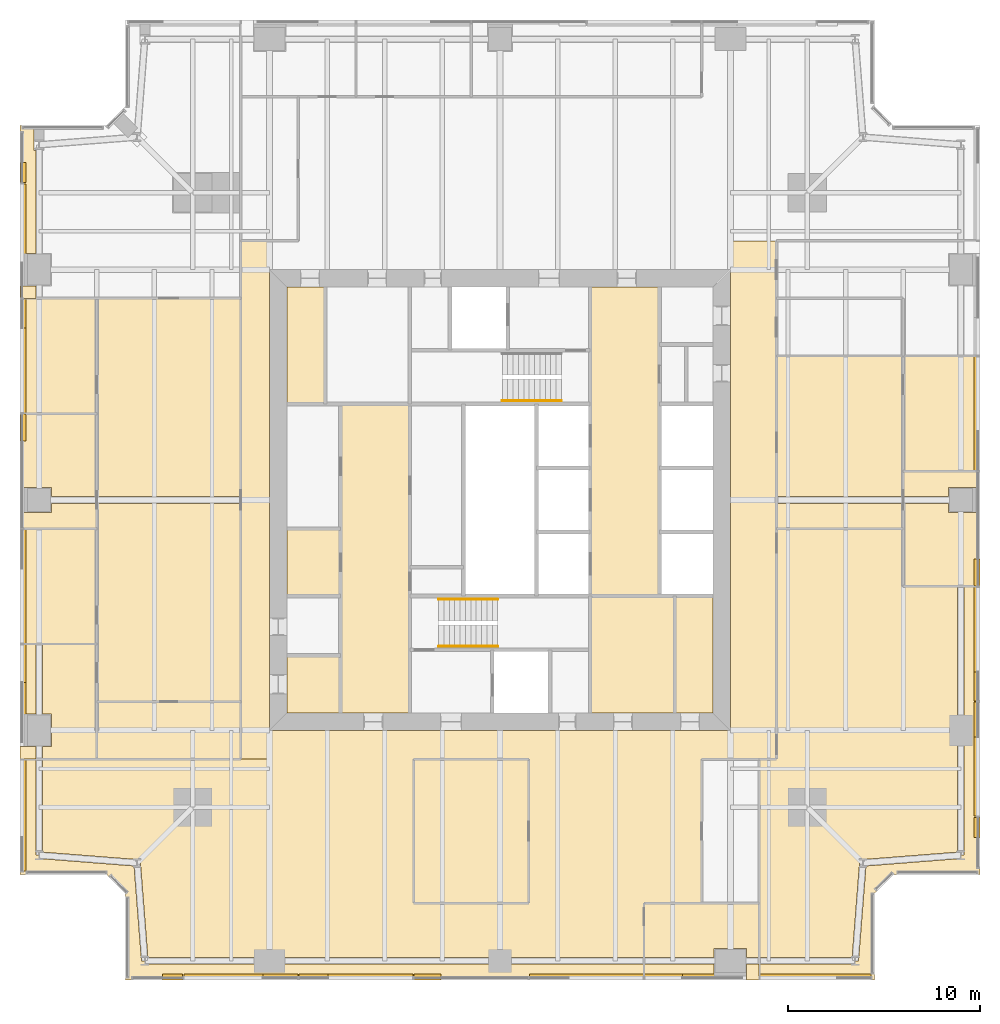
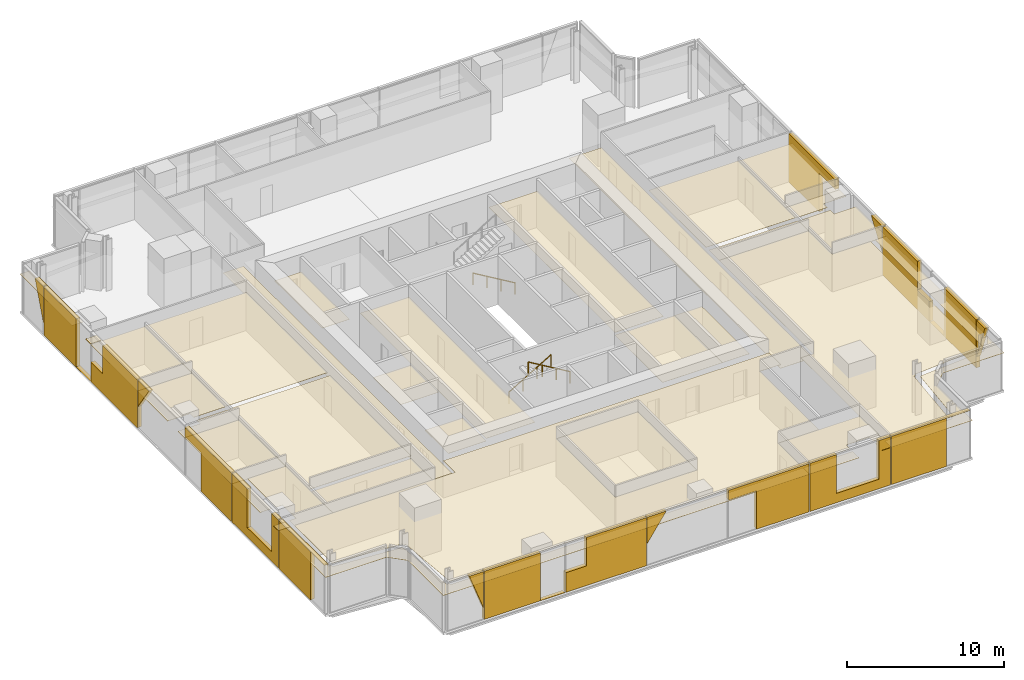
# One storey, part 13 of 14: 53 coverings, 3 railings.
"""IFC4 building model written with IfcOpenShell, lengths in metres."""

from ifc_helpers import new_model, si_unit, direction, frame, origin, origin_2d, place, context, subcontext, project, spatial, polyline, circle, outline, extrude, material, layer, layer_set, type_object, element, save


model = new_model("IFC4")

# Units and contexts
model_context = context("Model", 3, precision=1e-05, world=origin(), true_north=direction((0.0, 1.0)))
body_context = subcontext(model_context, "Body", "Model", "MODEL_VIEW")
ifc_project = project(units=[si_unit("LENGTHUNIT", "METRE"), si_unit("AREAUNIT", "SQUARE_METRE"), si_unit("VOLUMEUNIT", "CUBIC_METRE"), si_unit("PLANEANGLEUNIT", "RADIAN"), si_unit("MASSUNIT", "GRAM", prefix="KILO")], contexts=[model_context])

# Site, building, storey
site_placement = place(None, origin())
site = spatial("IfcSite", under=ifc_project, at=site_placement, CompositionType="ELEMENT")
building_placement = place(site_placement, origin())
building = spatial("IfcBuilding", under=site, at=building_placement, Name="Fenwick Lantern Interchange", CompositionType="ELEMENT")
storey_placement = place(building_placement, frame((0.0, 0.0, 173.800048828125)))
storey = spatial("IfcBuildingStorey", under=building, at=storey_placement, Name="L40", CompositionType="ELEMENT", Elevation=173.800048828125)

# Coverings
ifc_material_1 = material(Name="Mineral fibre acoustic tile on suspended grid")
ifc_layer_1 = layer(ifc_material_1, 0.02001953125)
ifc_layer_set_1 = layer_set([ifc_layer_1], Name="ACOUSTIC TILE CEILING 20")
covering_type_1 = type_object("IfcCoveringType", Name="ACOUSTIC TILE CEILING 20", PredefinedType="CEILING", material=ifc_layer_set_1)
covering_1_placement = place(storey_placement, frame((0.0, 0.0, 2.89990234375)))
element("IfcCovering", 1, at=covering_1_placement, inside=storey, type_object=covering_type_1, Name="Open office ceiling", PredefinedType="CEILING", context=body_context, shape_type="SweptSolid", body=[
    extrude(outline(polyline([(32.5, 4.0), (35.5, 4.0), (35.5, 11.5), (37.0, 11.5), (37.0, 13.0), (13.0, 13.0), (13.0, 11.5), (1.17236328125, 11.5), (1.17236328125, 6.659423828125), (6.113525390625, 6.27197265625), (6.10009765625, 6.10009765625), (6.27197265625, 6.113525390625), (6.659423828125, 1.17236328125), (13.0, 1.17236328125), (25.0, 1.17236328125), (32.5, 1.17236328125), (32.5, 4.0)]), holes=[polyline([(20.5, 11.5), (26.5, 11.5), (26.5, 4.0), (20.5, 4.0), (20.5, 11.5)])]), origin(), (0.0, 0.0, 1.0), 0.02001953125),
])
covering_2_placement = place(storey_placement, frame((0.0, 0.0, 2.89990234375)))
element("IfcCovering", 2, at=covering_2_placement, inside=storey, type_object=covering_type_1, Name="Open office ceiling", PredefinedType="CEILING", context=body_context, shape_type="SweptSolid", body=[
    extrude(outline(polyline([(32.5, 0.0), (32.5, 0.82763671875), (25.0, 0.82763671875), (13.0, 0.82763671875), (6.5, 0.82763671875), (6.5, 1.0), (6.328125, 0.986572265625), (5.939697265625, 5.939697265625), (0.986572265625, 6.328125), (1.0, 6.5), (0.82763671875, 6.5), (0.82763671875, 11.5), (0.0, 11.5), (0.0, 5.5), (4.5, 5.5), (5.5, 4.5), (5.5, 0.0), (32.5, 0.0)])), origin(), (0.0, 0.0, 1.0), 0.02001953125),
])
covering_3_placement = place(storey_placement, frame((0.0, 0.0, 2.89990234375)))
element("IfcCovering", 3, at=covering_3_placement, inside=storey, type_object=covering_type_1, Name="Meeting room ceiling", PredefinedType="CEILING", context=body_context, shape_type="SweptSolid", body=[
    extrude(outline(polyline([(20.5, 4.0), (26.5, 4.0), (26.5, 11.5), (20.5, 11.5), (20.5, 4.0)])), origin(), (0.0, 0.0, 1.0), 0.02001953125),
])
covering_4_placement = place(storey_placement, frame((0.0, 0.0, 2.89990234375)))
element("IfcCovering", 4, at=covering_4_placement, inside=storey, type_object=covering_type_1, Name="Office ceiling", PredefinedType="CEILING", context=body_context, shape_type="SweptSolid", body=[
    extrude(outline(polyline([(32.5, 4.0), (32.5, 1.17236328125), (36.14990234375, 1.17236328125), (36.14990234375, 1.64990234375), (37.85009765625, 1.64990234375), (37.85009765625, 1.17236328125), (38.5, 1.17236328125), (38.5, 4.0), (32.5, 4.0)])), origin(), (0.0, 0.0, 1.0), 0.02001953125),
])
covering_5_placement = place(storey_placement, frame((0.0, 0.0, 2.89990234375)))
element("IfcCovering", 5, at=covering_5_placement, inside=storey, type_object=covering_type_1, Name="Office ceiling", PredefinedType="CEILING", context=body_context, shape_type="SweptSolid", body=[
    extrude(outline(polyline([(32.5, 0.82763671875), (32.5, 0.0), (36.14990234375, 0.0), (36.14990234375, 0.82763671875), (32.5, 0.82763671875)])), origin(), (0.0, 0.0, 1.0), 0.02001953125),
])
covering_6_placement = place(storey_placement, frame((0.0, 0.0, 2.89990234375)))
element("IfcCovering", 6, at=covering_6_placement, inside=storey, type_object=covering_type_1, Name="Office ceiling", PredefinedType="CEILING", context=body_context, shape_type="SweptSolid", body=[
    extrude(outline(polyline([(38.5, 0.0), (38.5, 0.82763671875), (37.85009765625, 0.82763671875), (37.85009765625, 0.0), (38.5, 0.0)])), origin(), (0.0, 0.0, 1.0), 0.02001953125),
])
covering_7_placement = place(storey_placement, frame((0.0, 0.0, 2.8681640625)))
element("IfcCovering", 7, at=covering_7_placement, inside=storey, type_object=covering_type_1, Name="Meeting room ceiling", PredefinedType="CEILING", context=body_context, shape_type="SweptSolid", body=[
    extrude(outline(polyline([(46.0, 20.5), (50.0, 20.5), (50.0, 24.35009765625), (48.35009765625, 24.35009765625), (48.35009765625, 24.824951171875), (46.0, 24.824951171875), (46.0, 20.5)])), origin(), (0.0, 0.0, 1.0), 0.02001953125),
])
covering_8_placement = place(storey_placement, frame((0.0, 0.0, 2.8681640625)))
element("IfcCovering", 8, at=covering_8_placement, inside=storey, type_object=covering_type_1, Name="Meeting room ceiling", PredefinedType="CEILING", context=body_context, shape_type="SweptSolid", body=[
    extrude(outline(polyline([(46.0, 26.5), (46.0, 25.175048828125), (48.35009765625, 25.175048828125), (48.35009765625, 25.64990234375), (50.0, 25.64990234375), (50.0, 26.5), (46.0, 26.5)])), origin(), (0.0, 0.0, 1.0), 0.02001953125),
])
covering_9_placement = place(storey_placement, frame((0.0, 0.0, 2.8681640625)))
element("IfcCovering", 9, at=covering_9_placement, inside=storey, type_object=covering_type_1, Name="Meeting room ceiling", PredefinedType="CEILING", context=body_context, shape_type="SweptSolid", body=[
    extrude(outline(polyline([(50.0, 26.5), (50.0, 32.5), (46.0, 32.5), (46.0, 26.5), (50.0, 26.5)])), origin(), (0.0, 0.0, 1.0), 0.02001953125),
])
covering_10_placement = place(storey_placement, frame((0.0, 0.0, 2.89990234375)))
element("IfcCovering", 10, at=covering_10_placement, inside=storey, type_object=covering_type_1, Name="Open office ceiling", PredefinedType="CEILING", context=body_context, shape_type="SweptSolid", body=[
    extrude(outline(polyline([(11.5, 14.5), (11.5, 24.824951171875), (4.0, 24.824951171875), (4.0, 14.5), (11.5, 14.5)])), origin(), (0.0, 0.0, 1.0), 0.02001953125),
])
covering_11_placement = place(storey_placement, frame((0.0, 0.0, 2.89990234375)))
element("IfcCovering", 11, at=covering_11_placement, inside=storey, type_object=covering_type_1, Name="Open office ceiling", PredefinedType="CEILING", context=body_context, shape_type="SweptSolid", body=[
    extrude(outline(polyline([(11.5, 25.175048828125), (11.5, 35.5), (4.0, 35.5), (4.0, 25.175048828125), (11.5, 25.175048828125)])), origin(), (0.0, 0.0, 1.0), 0.02001953125),
])
covering_12_placement = place(storey_placement, frame((0.0, 0.0, 2.89990234375)))
element("IfcCovering", 12, at=covering_12_placement, inside=storey, type_object=covering_type_1, Name="Executive office ceiling", PredefinedType="CEILING", context=body_context, shape_type="SweptSolid", body=[
    extrude(outline(polyline([(0.0, 37.85009765625), (0.82763671875, 37.85009765625), (0.82763671875, 43.21240234375), (0.73779296875, 43.21240234375), (0.73779296875, 44.5), (0.0, 44.5), (0.0, 37.85009765625)])), origin(), (0.0, 0.0, 1.0), 0.02001953125),
])
covering_13_placement = place(storey_placement, frame((0.0, 0.0, 2.89990234375)))
element("IfcCovering", 13, at=covering_13_placement, inside=storey, type_object=covering_type_1, Name="Executive office ceiling", PredefinedType="CEILING", context=body_context, shape_type="SweptSolid", body=[
    extrude(outline(polyline([(0.0, 35.5), (0.82763671875, 35.5), (0.82763671875, 36.14990234375), (0.0, 36.14990234375), (0.0, 35.5)])), origin(), (0.0, 0.0, 1.0), 0.02001953125),
])
covering_14_placement = place(storey_placement, frame((0.0, 0.0, 2.8681640625)))
element("IfcCovering", 14, at=covering_14_placement, inside=storey, type_object=covering_type_1, Name="Office ceiling", PredefinedType="CEILING", context=body_context, shape_type="SweptSolid", body=[
    extrude(outline(polyline([(0.0, 35.5), (0.0, 29.5), (4.0, 29.5), (4.0, 35.5), (0.0, 35.5)])), origin(), (0.0, 0.0, 1.0), 0.02001953125),
])
covering_15_placement = place(storey_placement, frame((0.0, 0.0, 2.8681640625)))
element("IfcCovering", 15, at=covering_15_placement, inside=storey, type_object=covering_type_1, Name="Office ceiling", PredefinedType="CEILING", context=body_context, shape_type="SweptSolid", body=[
    extrude(outline(polyline([(4.0, 29.5), (0.0, 29.5), (0.0, 25.64990234375), (1.64990234375, 25.64990234375), (1.64990234375, 25.175048828125), (4.0, 25.175048828125), (4.0, 29.5)])), origin(), (0.0, 0.0, 1.0), 0.02001953125),
])
covering_16_placement = place(storey_placement, frame((0.0, 0.0, 2.8681640625)))
element("IfcCovering", 16, at=covering_16_placement, inside=storey, type_object=covering_type_1, Name="Office ceiling", PredefinedType="CEILING", context=body_context, shape_type="SweptSolid", body=[
    extrude(outline(polyline([(4.0, 23.5), (4.0, 24.824951171875), (1.64990234375, 24.824951171875), (1.64990234375, 24.35009765625), (0.0, 24.35009765625), (0.0, 23.5), (4.0, 23.5)])), origin(), (0.0, 0.0, 1.0), 0.02001953125),
])
covering_17_placement = place(storey_placement, frame((0.0, 0.0, 2.8681640625)))
element("IfcCovering", 17, at=covering_17_placement, inside=storey, type_object=covering_type_1, Name="Office ceiling", PredefinedType="CEILING", context=body_context, shape_type="SweptSolid", body=[
    extrude(outline(polyline([(0.0, 23.5), (0.0, 17.5), (4.0, 17.5), (4.0, 23.5), (0.0, 23.5)])), origin(), (0.0, 0.0, 1.0), 0.02001953125),
])
covering_18_placement = place(storey_placement, frame((0.0, 0.0, 2.89990234375)))
element("IfcCovering", 18, at=covering_18_placement, inside=storey, type_object=covering_type_1, Name="Meeting room ceiling", PredefinedType="CEILING", context=body_context, shape_type="SweptSolid", body=[
    extrude(outline(polyline([(4.0, 17.5), (1.17236328125, 17.5), (1.17236328125, 13.85009765625), (1.64990234375, 13.85009765625), (1.64990234375, 12.14990234375), (1.17236328125, 12.14990234375), (1.17236328125, 11.5), (4.0, 11.5), (4.0, 17.5)])), origin(), (0.0, 0.0, 1.0), 0.02001953125),
])
covering_19_placement = place(storey_placement, frame((0.0, 0.0, 2.89990234375)))
element("IfcCovering", 19, at=covering_19_placement, inside=storey, type_object=covering_type_1, Name="Meeting room ceiling", PredefinedType="CEILING", context=body_context, shape_type="SweptSolid", body=[
    extrude(outline(polyline([(0.82763671875, 17.5), (0.0, 17.5), (0.0, 13.85009765625), (0.82763671875, 13.85009765625), (0.82763671875, 17.5)])), origin(), (0.0, 0.0, 1.0), 0.02001953125),
])
covering_20_placement = place(storey_placement, frame((0.0, 0.0, 2.89990234375)))
element("IfcCovering", 20, at=covering_20_placement, inside=storey, type_object=covering_type_1, Name="Meeting room ceiling", PredefinedType="CEILING", context=body_context, shape_type="SweptSolid", body=[
    extrude(outline(polyline([(0.0, 11.5), (0.82763671875, 11.5), (0.82763671875, 12.14990234375), (0.0, 12.14990234375), (0.0, 11.5)])), origin(), (0.0, 0.0, 1.0), 0.02001953125),
])
ifc_material_2 = material(Name="Granite cladding, warm grey flamed finish, on aluminium carrier frame", Category="masonry")
ifc_layer_2 = layer(ifc_material_2, 0.300048828125)
ifc_layer_set_2 = layer_set([ifc_layer_2], Name="BRACE CASING PANEL 300")
covering_type_2 = type_object("IfcCoveringType", Name="BRACE CASING PANEL 300", PredefinedType="CLADDING", material=ifc_layer_set_2)
covering_21_placement = place(storey_placement, frame((5.60009765625, 0.10009765625, 0.932373046875), z_axis=(0.0, 0.0, 1.0), x_axis=(1.0, 0.0, 0.0)))
element("IfcCovering", 21, at=covering_21_placement, inside=storey, type_object=covering_type_2, Name="Brace casing 01 bay 00a", PredefinedType="CLADDING", context=body_context, shape_type="SweptSolid", body=[
    extrude(outline(polyline([(2.867431640625, 0.0), (2.867431640625, 2.817626953125), (1.8203125, 2.817626953125), (2.867431640625, 0.0)])), frame((0.0, 0.2001953125, 0.0), z_axis=(0.0, -1.0, 0.0), x_axis=(1.0, 0.0, 0.0)), (0.0, 0.0, 1.0), 0.300048828125),
])
covering_22_placement = place(storey_placement, frame((5.60009765625, 0.10009765625, 0.0), z_axis=(0.0, 0.0, 1.0), x_axis=(1.0, 0.0, 0.0)))
element("IfcCovering", 22, at=covering_22_placement, inside=storey, type_object=covering_type_2, Name="Brace casing 01 bay 01a", PredefinedType="CLADDING", context=body_context, shape_type="SweptSolid", body=[
    extrude(outline(polyline([(2.9326171875, 0.0), (8.867431640625, 0.0), (8.867431640625, 0.009521484375), (7.051025390625, 0.009521484375), (7.051025390625, 3.75), (2.9326171875, 3.75), (2.9326171875, 0.0)])), frame((0.0, 0.2001953125, 0.0), z_axis=(0.0, -1.0, 0.0), x_axis=(1.0, 0.0, 0.0)), (0.0, 0.0, 1.0), 0.300048828125),
])
covering_23_placement = place(storey_placement, frame((5.60009765625, 0.10009765625, 0.0), z_axis=(0.0, 0.0, 1.0), x_axis=(1.0, 0.0, 0.0)))
element("IfcCovering", 23, at=covering_23_placement, inside=storey, type_object=covering_type_2, Name="Brace casing 01 bay 02a", PredefinedType="CLADDING", context=body_context, shape_type="SweptSolid", body=[
    extrude(outline(polyline([(8.9326171875, 0.0), (14.867431640625, 0.0), (14.867431640625, 3.75), (10.452392578125, 3.75), (10.452392578125, 1.533935546875), (8.9326171875, 1.533935546875), (8.9326171875, 0.0)])), frame((0.0, 0.2001953125, 0.0), z_axis=(0.0, -1.0, 0.0), x_axis=(1.0, 0.0, 0.0)), (0.0, 0.0, 1.0), 0.300048828125),
])
covering_24_placement = place(storey_placement, frame((5.60009765625, 0.10009765625, 1.700439453125), z_axis=(0.0, 0.0, 1.0), x_axis=(1.0, 0.0, 0.0)))
element("IfcCovering", 24, at=covering_24_placement, inside=storey, type_object=covering_type_2, Name="Brace casing 01 bay 03a", PredefinedType="CLADDING", context=body_context, shape_type="SweptSolid", body=[
    extrude(outline(polyline([(14.9326171875, 0.0), (16.338623046875, 2.049560546875), (14.9326171875, 2.049560546875), (14.9326171875, 0.0)])), frame((0.0, 0.2001953125, 0.0), z_axis=(0.0, -1.0, 0.0), x_axis=(1.0, 0.0, 0.0)), (0.0, 0.0, 1.0), 0.300048828125),
])
covering_25_placement = place(storey_placement, frame((5.60009765625, 0.10009765625, 0.0), z_axis=(0.0, 0.0, 1.0), x_axis=(1.0, 0.0, 0.0)))
element("IfcCovering", 25, at=covering_25_placement, inside=storey, type_object=covering_type_2, Name="Brace casing 01 bay 04a", PredefinedType="CLADDING", context=body_context, shape_type="SweptSolid", body=[
    extrude(outline(polyline([(22.982421875, 0.0), (26.867431640625, 0.0), (26.867431640625, 3.75), (20.9326171875, 3.75), (20.9326171875, 2.990478515625), (22.982421875, 2.990478515625), (22.982421875, 0.0)])), frame((0.0, 0.2001953125, 0.0), z_axis=(0.0, -1.0, 0.0), x_axis=(1.0, 0.0, 0.0)), (0.0, 0.0, 1.0), 0.300048828125),
])
covering_26_placement = place(storey_placement, frame((5.60009765625, 0.10009765625, 0.0), z_axis=(0.0, 0.0, 1.0), x_axis=(1.0, 0.0, 0.0)))
element("IfcCovering", 26, at=covering_26_placement, inside=storey, type_object=covering_type_2, Name="Brace casing 01 bay 05a", PredefinedType="CLADDING", context=body_context, shape_type="SweptSolid", body=[
    extrude(outline(polyline([(26.9326171875, 0.0), (32.867431640625, 0.0), (32.867431640625, 3.75), (32.017578125, 3.75), (32.017578125, 0.732177734375), (28.8974609375, 0.732177734375), (28.8974609375, 3.75), (26.9326171875, 3.75), (26.9326171875, 0.0)])), frame((0.0, 0.2001953125, 0.0), z_axis=(0.0, -1.0, 0.0), x_axis=(1.0, 0.0, 0.0)), (0.0, 0.0, 1.0), 0.300048828125),
])
covering_27_placement = place(storey_placement, frame((5.60009765625, 0.10009765625, 0.0), z_axis=(0.0, 0.0, 1.0), x_axis=(1.0, 0.0, 0.0)))
element("IfcCovering", 27, at=covering_27_placement, inside=storey, type_object=covering_type_2, Name="Brace casing 01 bay 06a", PredefinedType="CLADDING", context=body_context, shape_type="SweptSolid", body=[
    extrude(outline(polyline([(32.9326171875, 0.0), (36.97607421875, 0.0), (36.97607421875, 3.740234375), (38.735107421875, 3.740234375), (38.735107421875, 3.75), (32.9326171875, 3.75), (32.9326171875, 0.0)])), frame((0.0, 0.2001953125, 0.0), z_axis=(0.0, -1.0, 0.0), x_axis=(1.0, 0.0, 0.0)), (0.0, 0.0, 1.0), 0.300048828125),
])
covering_28_placement = place(storey_placement, frame((49.89990234375, 5.60009765625, 0.932373046875), z_axis=(0.0, 0.0, 1.0), x_axis=(0.0, 1.0, 0.0)))
element("IfcCovering", 28, at=covering_28_placement, inside=storey, type_object=covering_type_2, Name="Brace casing 05 bay 00a", PredefinedType="CLADDING", context=body_context, shape_type="SweptSolid", body=[
    extrude(outline(polyline([(2.867431640625, 0.0), (2.867431640625, 2.817626953125), (1.8203125, 2.817626953125), (2.867431640625, 0.0)])), frame((0.0, 0.2001953125, 0.0), z_axis=(0.0, -1.0, 0.0), x_axis=(1.0, 0.0, 0.0)), (0.0, 0.0, 1.0), 0.300048828125),
])
covering_29_placement = place(storey_placement, frame((49.89990234375, 5.60009765625, 0.0), z_axis=(0.0, 0.0, 1.0), x_axis=(0.0, 1.0, 0.0)))
element("IfcCovering", 29, at=covering_29_placement, inside=storey, type_object=covering_type_2, Name="Brace casing 05 bay 01a", PredefinedType="CLADDING", context=body_context, shape_type="SweptSolid", body=[
    extrude(outline(polyline([(2.9326171875, 0.0), (8.867431640625, 0.0), (8.867431640625, 0.009521484375), (7.051025390625, 0.009521484375), (7.051025390625, 3.75), (2.9326171875, 3.75), (2.9326171875, 0.0)])), frame((0.0, 0.2001953125, 0.0), z_axis=(0.0, -1.0, 0.0), x_axis=(1.0, 0.0, 0.0)), (0.0, 0.0, 1.0), 0.300048828125),
])
covering_30_placement = place(storey_placement, frame((49.89990234375, 5.60009765625, 0.0), z_axis=(0.0, 0.0, 1.0), x_axis=(0.0, 1.0, 0.0)))
element("IfcCovering", 30, at=covering_30_placement, inside=storey, type_object=covering_type_2, Name="Brace casing 05 bay 02a", PredefinedType="CLADDING", context=body_context, shape_type="SweptSolid", body=[
    extrude(outline(polyline([(8.9326171875, 0.0), (14.867431640625, 0.0), (14.867431640625, 3.75), (10.452392578125, 3.75), (10.452392578125, 1.533935546875), (8.9326171875, 1.533935546875), (8.9326171875, 0.0)])), frame((0.0, 0.2001953125, 0.0), z_axis=(0.0, -1.0, 0.0), x_axis=(1.0, 0.0, 0.0)), (0.0, 0.0, 1.0), 0.300048828125),
])
covering_31_placement = place(storey_placement, frame((49.89990234375, 5.60009765625, 1.700439453125), z_axis=(0.0, 0.0, 1.0), x_axis=(0.0, 1.0, 0.0)))
element("IfcCovering", 31, at=covering_31_placement, inside=storey, type_object=covering_type_2, Name="Brace casing 05 bay 03a", PredefinedType="CLADDING", context=body_context, shape_type="SweptSolid", body=[
    extrude(outline(polyline([(14.9326171875, 0.0), (16.338623046875, 2.049560546875), (14.9326171875, 2.049560546875), (14.9326171875, 0.0)])), frame((0.0, 0.2001953125, 0.0), z_axis=(0.0, -1.0, 0.0), x_axis=(1.0, 0.0, 0.0)), (0.0, 0.0, 1.0), 0.300048828125),
])
covering_32_placement = place(storey_placement, frame((49.89990234375, 5.60009765625, 0.0), z_axis=(0.0, 0.0, 1.0), x_axis=(0.0, 1.0, 0.0)))
element("IfcCovering", 32, at=covering_32_placement, inside=storey, type_object=covering_type_2, Name="Brace casing 05 bay 04a", PredefinedType="CLADDING", context=body_context, shape_type="SweptSolid", body=[
    extrude(outline(polyline([(22.982421875, 0.0), (26.867431640625, 0.0), (26.867431640625, 3.75), (20.9326171875, 3.75), (20.9326171875, 2.990478515625), (22.982421875, 2.990478515625), (22.982421875, 0.0)])), frame((0.0, 0.2001953125, 0.0), z_axis=(0.0, -1.0, 0.0), x_axis=(1.0, 0.0, 0.0)), (0.0, 0.0, 1.0), 0.300048828125),
])
covering_33_placement = place(storey_placement, frame((0.10009765625, 44.39990234375, 0.932373046875), z_axis=(0.0, 0.0, 1.0), x_axis=(0.0, -1.0, 0.0)))
element("IfcCovering", 33, at=covering_33_placement, inside=storey, type_object=covering_type_2, Name="Brace casing 13 bay 00a", PredefinedType="CLADDING", context=body_context, shape_type="SweptSolid", body=[
    extrude(outline(polyline([(2.867431640625, 0.0), (2.867431640625, 2.817626953125), (1.8203125, 2.817626953125), (2.867431640625, 0.0)])), frame((0.0, 0.2001953125, 0.0), z_axis=(0.0, -1.0, 0.0), x_axis=(1.0, 0.0, 0.0)), (0.0, 0.0, 1.0), 0.300048828125),
])
covering_34_placement = place(storey_placement, frame((0.10009765625, 44.39990234375, 0.0), z_axis=(0.0, 0.0, 1.0), x_axis=(0.0, -1.0, 0.0)))
element("IfcCovering", 34, at=covering_34_placement, inside=storey, type_object=covering_type_2, Name="Brace casing 13 bay 01a", PredefinedType="CLADDING", context=body_context, shape_type="SweptSolid", body=[
    extrude(outline(polyline([(2.9326171875, 0.0), (8.867431640625, 0.0), (8.867431640625, 0.009521484375), (7.051025390625, 0.009521484375), (7.051025390625, 3.75), (2.9326171875, 3.75), (2.9326171875, 0.0)])), frame((0.0, 0.2001953125, 0.0), z_axis=(0.0, -1.0, 0.0), x_axis=(1.0, 0.0, 0.0)), (0.0, 0.0, 1.0), 0.300048828125),
])
covering_35_placement = place(storey_placement, frame((0.10009765625, 44.39990234375, 0.0), z_axis=(0.0, 0.0, 1.0), x_axis=(0.0, -1.0, 0.0)))
element("IfcCovering", 35, at=covering_35_placement, inside=storey, type_object=covering_type_2, Name="Brace casing 13 bay 02a", PredefinedType="CLADDING", context=body_context, shape_type="SweptSolid", body=[
    extrude(outline(polyline([(8.9326171875, 0.0), (14.867431640625, 0.0), (14.867431640625, 3.75), (10.452392578125, 3.75), (10.452392578125, 1.533935546875), (8.9326171875, 1.533935546875), (8.9326171875, 0.0)])), frame((0.0, 0.2001953125, 0.0), z_axis=(0.0, -1.0, 0.0), x_axis=(1.0, 0.0, 0.0)), (0.0, 0.0, 1.0), 0.300048828125),
])
covering_36_placement = place(storey_placement, frame((0.10009765625, 44.39990234375, 1.700439453125), z_axis=(0.0, 0.0, 1.0), x_axis=(0.0, -1.0, 0.0)))
element("IfcCovering", 36, at=covering_36_placement, inside=storey, type_object=covering_type_2, Name="Brace casing 13 bay 03a", PredefinedType="CLADDING", context=body_context, shape_type="SweptSolid", body=[
    extrude(outline(polyline([(14.9326171875, 0.0), (16.338623046875, 2.049560546875), (14.9326171875, 2.049560546875), (14.9326171875, 0.0)])), frame((0.0, 0.2001953125, 0.0), z_axis=(0.0, -1.0, 0.0), x_axis=(1.0, 0.0, 0.0)), (0.0, 0.0, 1.0), 0.300048828125),
])
covering_37_placement = place(storey_placement, frame((0.10009765625, 44.39990234375, 0.0), z_axis=(0.0, 0.0, 1.0), x_axis=(0.0, -1.0, 0.0)))
element("IfcCovering", 37, at=covering_37_placement, inside=storey, type_object=covering_type_2, Name="Brace casing 13 bay 04a", PredefinedType="CLADDING", context=body_context, shape_type="SweptSolid", body=[
    extrude(outline(polyline([(22.982421875, 0.0), (26.867431640625, 0.0), (26.867431640625, 3.75), (20.9326171875, 3.75), (20.9326171875, 2.990478515625), (22.982421875, 2.990478515625), (22.982421875, 0.0)])), frame((0.0, 0.2001953125, 0.0), z_axis=(0.0, -1.0, 0.0), x_axis=(1.0, 0.0, 0.0)), (0.0, 0.0, 1.0), 0.300048828125),
])
covering_38_placement = place(storey_placement, frame((0.10009765625, 44.39990234375, 0.0), z_axis=(0.0, 0.0, 1.0), x_axis=(0.0, -1.0, 0.0)))
element("IfcCovering", 38, at=covering_38_placement, inside=storey, type_object=covering_type_2, Name="Brace casing 13 bay 05a", PredefinedType="CLADDING", context=body_context, shape_type="SweptSolid", body=[
    extrude(outline(polyline([(26.9326171875, 0.0), (32.867431640625, 0.0), (32.867431640625, 3.75), (32.017578125, 3.75), (32.017578125, 0.732177734375), (28.8974609375, 0.732177734375), (28.8974609375, 3.75), (26.9326171875, 3.75), (26.9326171875, 0.0)])), frame((0.0, 0.2001953125, 0.0), z_axis=(0.0, -1.0, 0.0), x_axis=(1.0, 0.0, 0.0)), (0.0, 0.0, 1.0), 0.300048828125),
])
covering_39_placement = place(storey_placement, frame((0.10009765625, 44.39990234375, 0.0), z_axis=(0.0, 0.0, 1.0), x_axis=(0.0, -1.0, 0.0)))
element("IfcCovering", 39, at=covering_39_placement, inside=storey, type_object=covering_type_2, Name="Brace casing 13 bay 06a", PredefinedType="CLADDING", context=body_context, shape_type="SweptSolid", body=[
    extrude(outline(polyline([(32.9326171875, 0.0), (36.97607421875, 0.0), (36.97607421875, 3.740234375), (38.735107421875, 3.740234375), (38.735107421875, 3.75), (32.9326171875, 3.75), (32.9326171875, 0.0)])), frame((0.0, 0.2001953125, 0.0), z_axis=(0.0, -1.0, 0.0), x_axis=(1.0, 0.0, 0.0)), (0.0, 0.0, 1.0), 0.300048828125),
])

# Railings
ifc_material_3 = material(Name="Stainless steel handrail", Category="steel")
railing_type = type_object("IfcRailingType", Name="HANDRAIL 900", PredefinedType="HANDRAIL", material=ifc_material_3)
railing_placement = place(storey_placement, frame((21.800048828125, 19.825927734375, 0.16650390625)))
element("IfcRailing", 40, at=railing_placement, inside=storey, type_object=railing_type, Name="L40/STAIR/ST1/HR1", PredefinedType="HANDRAIL", context=body_context, shape_type="SweptSolid", body=[
    extrude(circle(Radius=0.02392578125, at=origin_2d()), frame((0.0, 0.0, 0.8759765625), z_axis=(0.859260807169, 0.0, 0.511537745687), x_axis=(0.0, 1.0, 0.0)), (0.0, 0.0, 1.0), 3.584228515625),
    extrude(circle(Radius=0.02099609375, at=origin_2d()), origin(), (0.0, 0.0, 1.0), 0.851806640625),
    extrude(circle(Radius=0.02099609375, at=origin_2d()), frame((1.026611328125, 0.0, 0.611083984375)), (0.0, 0.0, 1.0), 0.851806640625),
    extrude(circle(Radius=0.02099609375, at=origin_2d()), frame((2.05322265625, 0.0, 1.222412109375)), (0.0, 0.0, 1.0), 0.851806640625),
    extrude(circle(Radius=0.02099609375, at=origin_2d()), frame((3.079833984375, 0.0, 1.83349609375)), (0.0, 0.0, 1.0), 0.851806640625),
])
for number, where, name in (
    (41, (24.8798828125, 17.3740234375, 2.16650390625), "L40/STAIR/ST1/HR2"),
    (42, (28.199951171875, 30.174072265625, 0.16650390625), "L40/STAIR/ST2/HR1"),
):
    element("IfcRailing", number, at=place(storey_placement, frame(where)), inside=storey, type_object=railing_type, Name=name, PredefinedType="HANDRAIL", context=body_context, shape_type="SweptSolid", body=[
        extrude(circle(Radius=0.02392578125, at=origin_2d()), frame((0.0, 0.0, 0.8759765625), z_axis=(-0.859260807169, 0.0, 0.511537745687), x_axis=(0.0, -1.0, 0.0)), (0.0, 0.0, 1.0), 3.584228515625),
        extrude(circle(Radius=0.02099609375, at=origin_2d()), origin(), (0.0, 0.0, 1.0), 0.851806640625),
        extrude(circle(Radius=0.02099609375, at=origin_2d()), frame((-1.026611328125, 0.0, 0.611083984375)), (0.0, 0.0, 1.0), 0.851806640625),
        extrude(circle(Radius=0.02099609375, at=origin_2d()), frame((-2.05322265625, 0.0, 1.222412109375)), (0.0, 0.0, 1.0), 0.851806640625),
        extrude(circle(Radius=0.02099609375, at=origin_2d()), frame((-3.079833984375, 0.0, 1.83349609375)), (0.0, 0.0, 1.0), 0.851806640625),
    ])

# Coverings
ifc_material_4 = material(Name="Moisture resistant gypsum board on suspended frame, painted")
ifc_layer_3 = layer(ifc_material_4, 0.014892578125)
ifc_layer_set_3 = layer_set([ifc_layer_3], Name="MOISTURE RESISTANT CEILING 15")
covering_type_3 = type_object("IfcCoveringType", Name="MOISTURE RESISTANT CEILING 15", PredefinedType="CEILING", material=ifc_layer_set_3)
covering_40_placement = place(storey_placement, frame((0.0, 0.0, 2.599853515625)))
element("IfcCovering", 43, at=covering_40_placement, inside=storey, type_object=covering_type_3, Name="Women's WC ceiling", PredefinedType="CEILING", context=body_context, shape_type="SweptSolid", body=[
    extrude(outline(polyline([(29.699951171875, 13.89990234375), (34.10009765625, 13.89990234375), (34.10009765625, 20.0), (29.699951171875, 20.0), (29.699951171875, 13.89990234375)])), origin(), (0.0, 0.0, 1.0), 0.01513671875),
])
covering_41_placement = place(storey_placement, frame((0.0, 0.0, 2.599853515625)))
element("IfcCovering", 44, at=covering_41_placement, inside=storey, type_object=covering_type_3, Name="Men's WC ceiling", PredefinedType="CEILING", context=body_context, shape_type="SweptSolid", body=[
    extrude(outline(polyline([(34.10009765625, 13.89990234375), (36.10009765625, 13.89990234375), (36.10009765625, 20.0), (34.10009765625, 20.0), (34.10009765625, 13.89990234375)])), origin(), (0.0, 0.0, 1.0), 0.01513671875),
])
covering_42_placement = place(storey_placement, frame((0.0, 0.0, 2.599853515625)))
element("IfcCovering", 45, at=covering_42_placement, inside=storey, type_object=covering_type_3, Name="Accessible WC ceiling", PredefinedType="CEILING", context=body_context, shape_type="SweptSolid", body=[
    extrude(outline(polyline([(13.89990234375, 13.89990234375), (16.699951171875, 13.89990234375), (16.699951171875, 16.89990234375), (13.89990234375, 16.89990234375), (13.89990234375, 13.89990234375)])), origin(), (0.0, 0.0, 1.0), 0.01513671875),
])
covering_43_placement = place(storey_placement, frame((0.0, 0.0, 2.699951171875)))
element("IfcCovering", 46, at=covering_43_placement, inside=storey, type_object=covering_type_3, Name="Pantry ceiling", PredefinedType="CEILING", context=body_context, shape_type="SweptSolid", body=[
    extrude(outline(polyline([(13.89990234375, 20.0), (16.699951171875, 20.0), (16.699951171875, 23.5), (13.89990234375, 23.5), (13.89990234375, 20.0)])), origin(), (0.0, 0.0, 1.0), 0.014892578125),
])
covering_44_placement = place(storey_placement, frame((0.0, 0.0, 2.599853515625)))
element("IfcCovering", 47, at=covering_44_placement, inside=storey, type_object=covering_type_3, Name="Men's WC ceiling", PredefinedType="CEILING", context=body_context, shape_type="SweptSolid", body=[
    extrude(outline(polyline([(15.89990234375, 36.10009765625), (13.89990234375, 36.10009765625), (13.89990234375, 30.0), (15.89990234375, 30.0), (15.89990234375, 36.10009765625)])), origin(), (0.0, 0.0, 1.0), 0.01513671875),
])
covering_45_placement = place(storey_placement, frame((0.0, 0.0, 2.699951171875)))
element("IfcCovering", 48, at=covering_45_placement, inside=storey, type_object=covering_type_3, Name="Pantry ceiling", PredefinedType="CEILING", context=body_context, shape_type="SweptSolid", body=[
    extrude(outline(polyline([(4.0, 14.5), (4.0, 11.5), (11.5, 11.5), (11.5, 14.5), (4.0, 14.5)])), origin(), (0.0, 0.0, 1.0), 0.014892578125),
])
ifc_material_5 = material(Name="Gypsum plasterboard on suspended frame, painted")
ifc_layer_4 = layer(ifc_material_5, 0.014892578125)
ifc_layer_set_4 = layer_set([ifc_layer_4], Name="PLASTERBOARD CEILING 15")
covering_type_4 = type_object("IfcCoveringType", Name="PLASTERBOARD CEILING 15", PredefinedType="CEILING", material=ifc_layer_set_4)
covering_46_placement = place(storey_placement, frame((0.0, 0.0, 2.800048828125)))
element("IfcCovering", 49, at=covering_46_placement, inside=storey, type_object=covering_type_4, Name="Lift lobby ceiling", PredefinedType="CEILING", context=body_context, shape_type="SweptSolid", body=[
    extrude(outline(polyline([(16.699951171875, 13.89990234375), (20.300048828125, 13.89990234375), (20.300048828125, 30.0), (16.699951171875, 30.0), (16.699951171875, 13.89990234375)])), origin(), (0.0, 0.0, 1.0), 0.014892578125),
])
covering_47_placement = place(storey_placement, frame((0.0, 0.0, 2.800048828125)))
element("IfcCovering", 50, at=covering_47_placement, inside=storey, type_object=covering_type_4, Name="Lift lobby ceiling", PredefinedType="CEILING", context=body_context, shape_type="SweptSolid", body=[
    extrude(outline(polyline([(33.300048828125, 36.10009765625), (29.699951171875, 36.10009765625), (29.699951171875, 20.0), (33.300048828125, 20.0), (33.300048828125, 36.10009765625)])), origin(), (0.0, 0.0, 1.0), 0.014892578125),
])
covering_48_placement = place(storey_placement, frame((0.0, 0.0, 2.599853515625)))
element("IfcCovering", 51, at=covering_48_placement, inside=storey, type_object=covering_type_4, Name="Corridor ceiling", PredefinedType="CEILING", context=body_context, shape_type="SweptSolid", body=[
    extrude(outline(polyline([(13.0, 38.5), (11.5, 38.5), (11.5, 11.5), (13.0, 11.5), (13.0, 38.5)])), origin(), (0.0, 0.0, 1.0), 0.01513671875),
])
covering_49_placement = place(storey_placement, frame((0.0, 0.0, 2.89990234375)))
element("IfcCovering", 52, at=covering_49_placement, inside=storey, type_object=covering_type_4, Name="Reception ceiling", PredefinedType="CEILING", context=body_context, shape_type="SweptSolid", body=[
    extrude(outline(polyline([(39.39990234375, 32.5), (39.39990234375, 25.175048828125), (46.0, 25.175048828125), (46.0, 32.5), (39.39990234375, 32.5)])), origin(), (0.0, 0.0, 1.0), 0.01513671875),
])
covering_50_placement = place(storey_placement, frame((0.0, 0.0, 2.89990234375)))
element("IfcCovering", 53, at=covering_50_placement, inside=storey, type_object=covering_type_4, Name="Reception ceiling", PredefinedType="CEILING", context=body_context, shape_type="SweptSolid", body=[
    extrude(outline(polyline([(39.39990234375, 23.5), (46.0, 23.5), (46.0, 24.824951171875), (39.39990234375, 24.824951171875), (39.39990234375, 23.5)])), origin(), (0.0, 0.0, 1.0), 0.01513671875),
])
covering_51_placement = place(storey_placement, frame((0.0, 0.0, 2.89990234375)))
element("IfcCovering", 54, at=covering_51_placement, inside=storey, type_object=covering_type_4, Name="Client lounge ceiling", PredefinedType="CEILING", context=body_context, shape_type="SweptSolid", body=[
    extrude(outline(polyline([(38.5, 11.5), (38.5, 1.17236328125), (43.340576171875, 1.17236328125), (43.72802734375, 6.113525390625), (43.89990234375, 6.10009765625), (43.886474609375, 6.27197265625), (48.82763671875, 6.659423828125), (48.82763671875, 13.0), (48.82763671875, 20.5), (46.0, 20.5), (46.0, 23.5), (39.39990234375, 23.5), (39.39990234375, 11.5), (38.5, 11.5)])), origin(), (0.0, 0.0, 1.0), 0.01513671875),
])
covering_52_placement = place(storey_placement, frame((0.0, 0.0, 2.89990234375)))
element("IfcCovering", 55, at=covering_52_placement, inside=storey, type_object=covering_type_4, Name="Client lounge ceiling", PredefinedType="CEILING", context=body_context, shape_type="SweptSolid", body=[
    extrude(outline(polyline([(50.0, 5.5), (50.0, 20.5), (49.17236328125, 20.5), (49.17236328125, 13.0), (49.17236328125, 6.5), (49.0, 6.5), (49.013427734375, 6.328125), (44.060302734375, 5.939697265625), (43.671875, 0.986572265625), (43.5, 1.0), (43.5, 0.82763671875), (38.5, 0.82763671875), (38.5, 0.0), (44.5, 0.0), (44.5, 4.5), (45.5, 5.5), (50.0, 5.5)])), origin(), (0.0, 0.0, 1.0), 0.01513671875),
])
covering_53_placement = place(storey_placement, frame((0.0, 0.0, 2.599853515625)))
element("IfcCovering", 56, at=covering_53_placement, inside=storey, type_object=covering_type_4, Name="Corridor ceiling", PredefinedType="CEILING", context=body_context, shape_type="SweptSolid", body=[
    extrude(outline(polyline([(39.39990234375, 38.5), (37.0, 38.5), (37.0, 11.5), (39.39990234375, 11.5), (39.39990234375, 38.5)])), origin(), (0.0, 0.0, 1.0), 0.01513671875),
])

save(model, "model.ifc")
